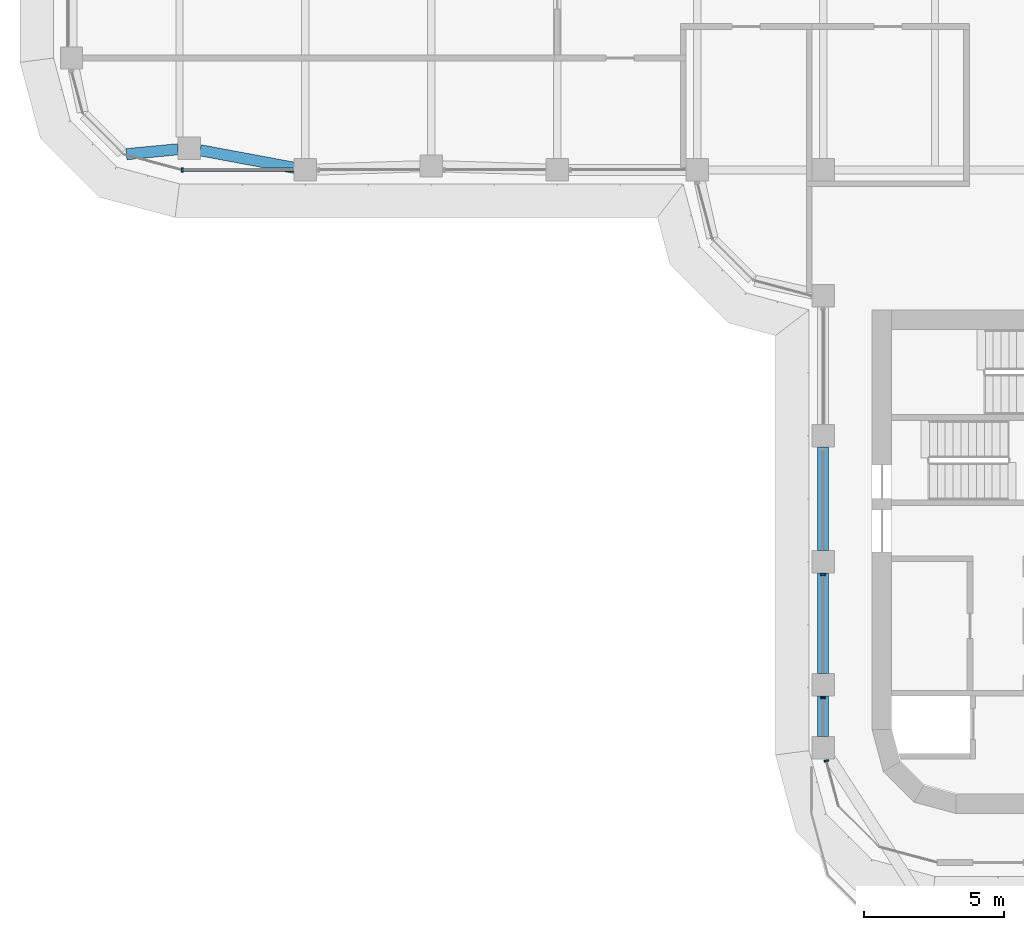
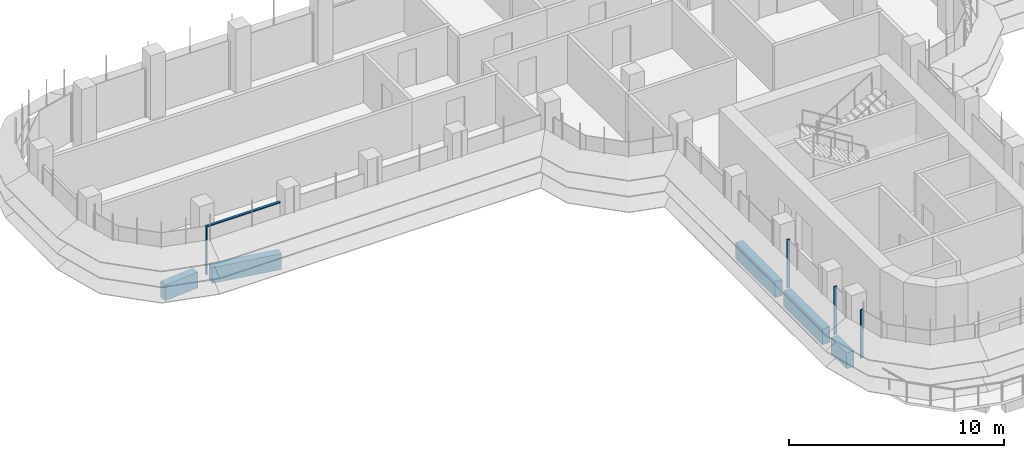
# One storey, part 2 of 20: 5 beams, 5 members, 3 elements without a shape of their own.
"""IFC4 building model written with IfcOpenShell, lengths in metres."""

from ifc_helpers import new_model, si_unit, direction, frame, origin, origin_2d, place, context, subcontext, project, spatial, polyline, rectangle, outline, extrude, source, transform, mapped, material, material_profile, profile_set, type_object, element, aggregate, save


model = new_model("IFC4")

# Units and contexts
model_context = context("Model", 3, precision=1e-05, world=origin(), true_north=direction((0.0, 1.0)))
body_context = subcontext(model_context, "Body", "Model", "MODEL_VIEW")
ifc_project = project(units=[si_unit("LENGTHUNIT", "METRE"), si_unit("AREAUNIT", "SQUARE_METRE"), si_unit("VOLUMEUNIT", "CUBIC_METRE"), si_unit("PLANEANGLEUNIT", "RADIAN"), si_unit("MASSUNIT", "GRAM", prefix="KILO")], contexts=[model_context])

# Site, building, storey
site_placement = place(None, origin())
site = spatial("IfcSite", under=ifc_project, at=site_placement, CompositionType="ELEMENT")
building_placement = place(site_placement, origin())
building = spatial("IfcBuilding", under=site, at=building_placement, Name="Zarbagh Exchange Tower", CompositionType="ELEMENT")
storey_placement = place(building_placement, frame((0.0, 0.0, 156.199951171875)))
storey = spatial("IfcBuildingStorey", under=building, at=storey_placement, Name="L37", CompositionType="ELEMENT", Elevation=156.199951171875)

# Beams
ifc_material_1 = material(Name="Concrete C50/60", Category="concrete")
ifc_material_profile = material_profile(ifc_material_1, rectangle(XDim=0.39990234375, YDim=0.89990234375, at=origin_2d()), Name="RC spandrel beam 400 x 900 C50/60")
ifc_profile_set = profile_set([ifc_material_profile], Name="Concrete C50/60")
beam_type = type_object("IfcBeamType", Name="RC spandrel beam 400 x 900 C50/60", PredefinedType="SPANDREL", material=ifc_profile_set)
beam_1_placement = place(storey_placement, frame((-6.25, -26.5, -0.599853515625), z_axis=(0.0, 1.0, 0.0), x_axis=(-1.0, 0.0, 0.0)))
element("IfcBeam", 1, at=beam_1_placement, inside=storey, type_object=beam_type, Name="RC spandrel beam", PredefinedType="SPANDREL", context=body_context, shape_type="SweptSolid", body=[
    extrude(rectangle(XDim=0.39990234375, YDim=0.89990234375, at=origin_2d()), origin(), (0.0, 0.0, 1.0), 1.449951171875),
])
beam_2_placement = place(storey_placement, frame((-6.25, -24.25, -0.599853515625), z_axis=(0.0, 1.0, 0.0), x_axis=(-1.0, 0.0, 0.0)))
element("IfcBeam", 2, at=beam_2_placement, inside=storey, type_object=beam_type, Name="RC spandrel beam", PredefinedType="SPANDREL", context=body_context, shape_type="SweptSolid", body=[
    extrude(rectangle(XDim=0.39990234375, YDim=0.89990234375, at=origin_2d()), origin(), (0.0, 0.0, 1.0), 3.60009765625),
])
beam_3_placement = place(storey_placement, frame((-6.25, -19.85009765625, -0.599853515625), z_axis=(0.0, 1.0, 0.0), x_axis=(-1.0, 0.0, 0.0)))
element("IfcBeam", 3, at=beam_3_placement, inside=storey, type_object=beam_type, Name="RC spandrel beam", PredefinedType="SPANDREL", context=body_context, shape_type="SweptSolid", body=[
    extrude(rectangle(XDim=0.39990234375, YDim=0.89990234375, at=origin_2d()), origin(), (0.0, 0.0, 1.0), 3.7001953125),
])
beam_4_placement = place(storey_placement, frame((-25.143310546875, -6.1767578125, -0.599853515625), z_axis=(-0.983069862768, 0.183231124313, 0.0), x_axis=(-0.183231124313, -0.983069862768, 0.0)))
element("IfcBeam", 4, at=beam_4_placement, inside=storey, type_object=beam_type, Name="RC spandrel beam", PredefinedType="SPANDREL", context=body_context, shape_type="SweptSolid", body=[
    extrude(rectangle(XDim=0.39990234375, YDim=0.89990234375, at=origin_2d()), origin(), (0.0, 0.0, 1.0), 3.4296875),
])
beam_5_placement = place(storey_placement, frame((-29.30615234375, -5.51318359375, -0.599853515625), z_axis=(-0.995435353267, -0.095438239015, 0.0), x_axis=(0.095438239015, -0.995435353267, 0.0)))
element("IfcBeam", 5, at=beam_5_placement, inside=storey, type_object=beam_type, Name="RC spandrel beam", PredefinedType="SPANDREL", context=body_context, shape_type="SweptSolid", body=[
    extrude(rectangle(XDim=0.39990234375, YDim=0.89990234375, at=origin_2d()), origin(), (0.0, 0.0, 1.0), 1.849609375),
])

# Curtain wall, member
ifc_material_2 = material(Name="Anodised aluminium frame and glazing", Category="aluminium")
curtain_wall_type = type_object("IfcCurtainWallType", Name="CWB Ribbon glazing, upper zones", PredefinedType="NOTDEFINED", material=ifc_material_2)
curtain_wall_1_placement = place(storey_placement, origin())
curtain_wall_1 = element("IfcCurtainWall", 6, at=curtain_wall_1_placement, inside=storey, type_object=curtain_wall_type, Name="CWB40 curtain wall", PredefinedType="NOTDEFINED")
ifc_material_3 = material(Name="Anodised aluminium frame", Category="aluminium")
member_type_1 = type_object("IfcMemberType", Name="MUB Mullion, anodised aluminium frame", PredefinedType="MULLION", material=ifc_material_3)
shared_shape_1 = source(origin(), body_context, "Body", "SweptSolid", [
    extrude(outline(polyline([(0.0, -0.080078125), (0.06005859375, -0.080078125), (0.06005859375, 0.080078125), (0.0, 0.080078125), (0.0, -0.080078125)])), origin(), (0.0, 0.0, 1.0), 2.75),
])
placement = place(storey_placement, origin())
member_1 = element("IfcMember", 7, at=placement, type_object=member_type_1, Name="CWB40 mullion 1.1", PredefinedType="MULLION", context=body_context, shape_type="MappedRepresentation", body=[
    mapped(shared_shape_1, transform((-29.18408203125, -6.25, 0.0), x_axis=(1.0, 0.0, 0.0), y_axis=(0.0, 1.0, 0.0), z_axis=(0.0, 0.0, 1.0))),
])

# Curtain wall, members
curtain_wall_2_placement = place(storey_placement, origin())
curtain_wall_2 = element("IfcCurtainWall", 8, at=curtain_wall_2_placement, inside=storey, type_object=curtain_wall_type, Name="CWB53 curtain wall", PredefinedType="NOTDEFINED")
member_2 = element("IfcMember", 9, at=placement, type_object=member_type_1, Name="CWB53 mullion 3.1", PredefinedType="MULLION", context=body_context, shape_type="MappedRepresentation", body=[
    mapped(shared_shape_1, transform((-6.25, -20.68994140625, 0.0), x_axis=(0.0, -1.0, 0.0), y_axis=(1.0, 0.0, 0.0), z_axis=(0.0, 0.0, 1.0))),
])
member_3 = element("IfcMember", 10, at=placement, type_object=member_type_1, Name="CWB53 mullion 4.1", PredefinedType="MULLION", context=body_context, shape_type="MappedRepresentation", body=[
    mapped(shared_shape_1, transform((-6.25, -25.090087890625, 0.0), x_axis=(0.0, -1.0, 0.0), y_axis=(1.0, 0.0, 0.0), z_axis=(0.0, 0.0, 1.0))),
])
aggregate(curtain_wall_2, [member_2, member_3])

# Curtain wall, member
curtain_wall_3_placement = place(storey_placement, origin())
curtain_wall_3 = element("IfcCurtainWall", 11, at=curtain_wall_3_placement, inside=storey, type_object=curtain_wall_type, Name="CWB54 curtain wall", PredefinedType="NOTDEFINED")
member_4 = element("IfcMember", 12, at=placement, type_object=member_type_1, Name="CWB54 mullion 1.1", PredefinedType="MULLION", context=body_context, shape_type="MappedRepresentation", body=[
    mapped(shared_shape_1, transform((-6.141357421875, -27.33984375, 0.0), x_axis=(0.258824779902, -0.965924289636, 0.0), y_axis=(0.965924289636, 0.258824779902, 0.0), z_axis=(0.0, 0.0, 1.0))),
])
aggregate(curtain_wall_3, [member_4])

# Member
member_type_2 = type_object("IfcMemberType", Name="TRB Transom, anodised aluminium frame", PredefinedType="USERDEFINED", material=ifc_material_3)
shared_shape_2 = source(origin(), body_context, "Body", "SweptSolid", [
    extrude(outline(polyline([(-0.06005859375, -0.06005859375), (0.0, -0.06005859375), (0.0, 0.06005859375), (-0.06005859375, 0.06005859375), (-0.06005859375, -0.06005859375)])), origin(), (0.0, 0.0, 1.0), 3.93408203125),
])
member_5 = element("IfcMember", 13, at=placement, type_object=member_type_2, Name="CWB40 transom 1.1", ObjectType="TRANSOM", PredefinedType="USERDEFINED", context=body_context, shape_type="MappedRepresentation", body=[
    mapped(shared_shape_2, transform((-29.124267578125, -6.25, 2.75), x_axis=(0.0, 0.0, 1.0), y_axis=(0.0, -1.0, 0.0), z_axis=(1.0, 0.0, 0.0))),
])

aggregate(curtain_wall_1, [member_1, member_5])

save(model, "model.ifc")
